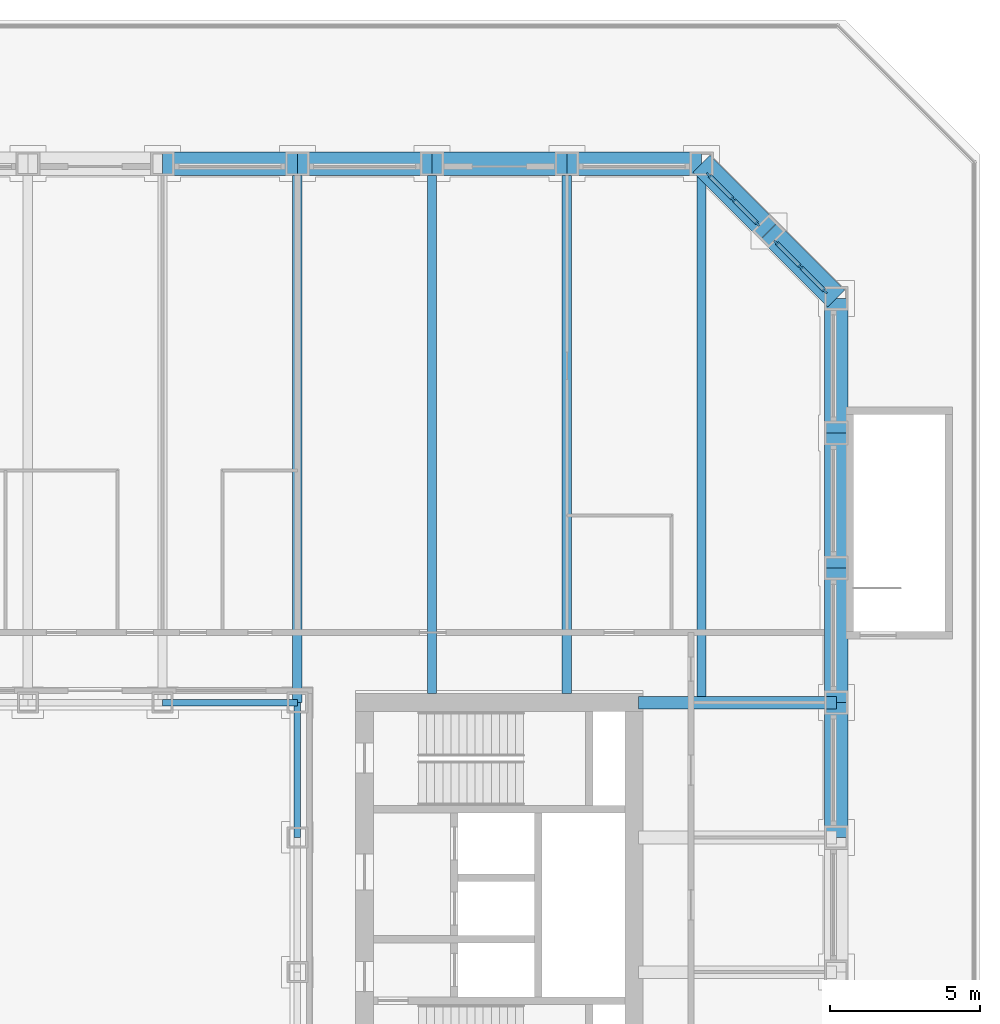
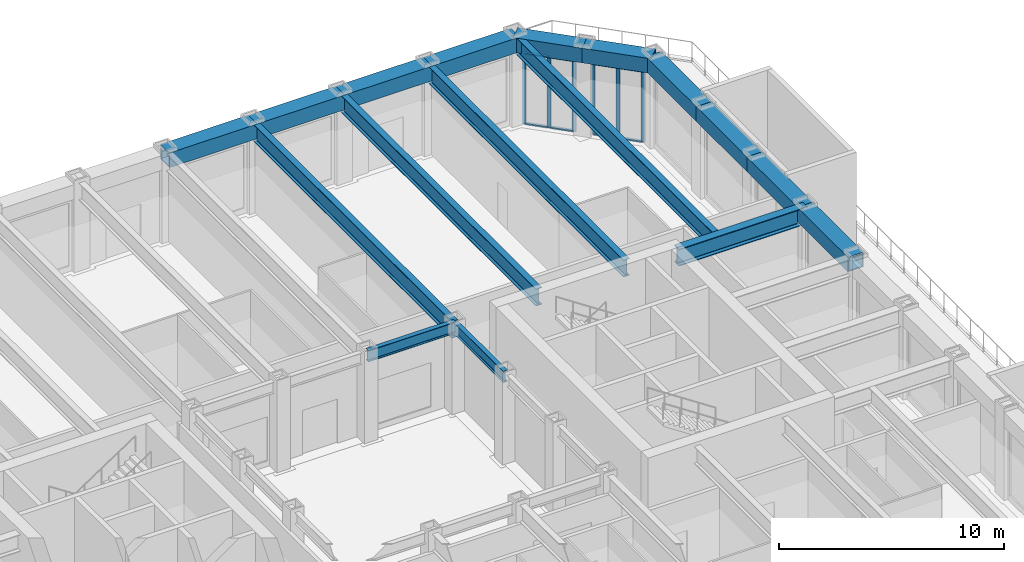
# One storey, part 5 of 18: 17 beams, 14 members, 2 elements without a shape of their own.
"""IFC4 building model written with IfcOpenShell, lengths in metres."""

from ifc_helpers import new_model, si_unit, direction, frame, origin, origin_2d, place, context, subcontext, project, spatial, rectangle, hollow_rectangle, i_section, extrude, material, material_profile, profile_set, type_object, element, aggregate, save


model = new_model("IFC4")

# Units and contexts
model_context = context("Model", 3, precision=1e-05, world=origin(), true_north=direction((0.0, 1.0)))
body_context = subcontext(model_context, "Body", "Model", "MODEL_VIEW")
ifc_project = project(units=[si_unit("LENGTHUNIT", "METRE"), si_unit("AREAUNIT", "SQUARE_METRE"), si_unit("VOLUMEUNIT", "CUBIC_METRE"), si_unit("PLANEANGLEUNIT", "RADIAN"), si_unit("MASSUNIT", "GRAM", prefix="KILO")], contexts=[model_context])

# Site, building, storey
site_placement = place(None, origin())
site = spatial("IfcSite", under=ifc_project, at=site_placement, CompositionType="ELEMENT")
building_placement = place(site_placement, origin())
building = spatial("IfcBuilding", under=site, at=building_placement, Name="Msasa Ring Tower", CompositionType="ELEMENT")
storey_placement = place(building_placement, frame((0.0, 0.0, 21.5)))
storey = spatial("IfcBuildingStorey", under=building, at=storey_placement, Name="L04", CompositionType="ELEMENT", Elevation=21.5)

# Curtain wall, members
ifc_material_1 = material(Name="Aluminium curtain wall with clear glass", Category="aluminium")
curtain_wall_type = type_object("IfcCurtainWallType", Name="CW-C CHAMFER CORNER CURTAIN WALL", PredefinedType="NOTDEFINED", material=ifc_material_1)
curtain_wall_1_placement = place(storey_placement, origin())
curtain_wall_1 = element("IfcCurtainWall", 1, at=curtain_wall_1_placement, inside=storey, type_object=curtain_wall_type, Name="Chamfer corner curtain wall NE L04", PredefinedType="NOTDEFINED")
ifc_material_2 = material(Name="Aluminium mullion", Category="aluminium")
ifc_material_profile_1 = material_profile(ifc_material_2, rectangle(XDim=0.06494140625, YDim=0.179931640625, at=origin_2d()), Name="AL 65x180")
ifc_profile_set_1 = profile_set([ifc_material_profile_1], Name="Aluminium mullion")
member_type_1 = type_object("IfcMemberType", Name="CW-C MULLION 65x180", PredefinedType="MULLION", material=ifc_profile_set_1)
member_1_placement = place(storey_placement, frame((22.119873046875, 22.73876953125, 0.0), z_axis=(0.0, 0.0, 1.0), x_axis=(-0.707106781187, -0.707106781187, 0.0)))
member_1 = element("IfcMember", 2, at=member_1_placement, type_object=member_type_1, Name="CW-C mullion 1", PredefinedType="MULLION", context=body_context, shape_type="SweptSolid", body=[
    extrude(rectangle(XDim=0.06494140625, YDim=0.179931640625, at=origin_2d()), origin(), (0.0, 0.0, 1.0), 3.87890625),
])
member_2_placement = place(storey_placement, frame((21.30419921875, 23.55419921875, 0.0), z_axis=(0.0, 0.0, 1.0), x_axis=(-0.707106781187, -0.707106781187, 0.0)))
member_2 = element("IfcMember", 3, at=member_2_placement, type_object=member_type_1, Name="CW-C mullion 2", PredefinedType="MULLION", context=body_context, shape_type="SweptSolid", body=[
    extrude(rectangle(XDim=0.06494140625, YDim=0.179931640625, at=origin_2d()), origin(), (0.0, 0.0, 1.0), 3.87890625),
])
member_3_placement = place(storey_placement, frame((20.48876953125, 24.369873046875, 0.0), z_axis=(0.0, 0.0, 1.0), x_axis=(-0.707106781187, -0.707106781187, 0.0)))
member_3 = element("IfcMember", 4, at=member_3_placement, type_object=member_type_1, Name="CW-C mullion 3", PredefinedType="MULLION", context=body_context, shape_type="SweptSolid", body=[
    extrude(rectangle(XDim=0.06494140625, YDim=0.179931640625, at=origin_2d()), origin(), (0.0, 0.0, 1.0), 3.87890625),
])

curtain_wall_2_placement = place(storey_placement, origin())
curtain_wall_2 = element("IfcCurtainWall", 5, at=curtain_wall_2_placement, inside=storey, type_object=curtain_wall_type, Name="Chamfer corner curtain wall NE L04", PredefinedType="NOTDEFINED")
member_4_placement = place(storey_placement, frame((24.369873046875, 20.48876953125, 0.0), z_axis=(0.0, 0.0, 1.0), x_axis=(-0.707106781187, -0.707106781187, 0.0)))
member_4 = element("IfcMember", 6, at=member_4_placement, type_object=member_type_1, Name="CW-C mullion 1", PredefinedType="MULLION", context=body_context, shape_type="SweptSolid", body=[
    extrude(rectangle(XDim=0.06494140625, YDim=0.179931640625, at=origin_2d()), origin(), (0.0, 0.0, 1.0), 3.87890625),
])
member_5_placement = place(storey_placement, frame((23.55419921875, 21.30419921875, 0.0), z_axis=(0.0, 0.0, 1.0), x_axis=(-0.707106781187, -0.707106781187, 0.0)))
member_5 = element("IfcMember", 7, at=member_5_placement, type_object=member_type_1, Name="CW-C mullion 2", PredefinedType="MULLION", context=body_context, shape_type="SweptSolid", body=[
    extrude(rectangle(XDim=0.06494140625, YDim=0.179931640625, at=origin_2d()), origin(), (0.0, 0.0, 1.0), 3.87890625),
])
member_6_placement = place(storey_placement, frame((22.73876953125, 22.119873046875, 0.0), z_axis=(0.0, 0.0, 1.0), x_axis=(-0.707106781187, -0.707106781187, 0.0)))
member_6 = element("IfcMember", 8, at=member_6_placement, type_object=member_type_1, Name="CW-C mullion 3", PredefinedType="MULLION", context=body_context, shape_type="SweptSolid", body=[
    extrude(rectangle(XDim=0.06494140625, YDim=0.179931640625, at=origin_2d()), origin(), (0.0, 0.0, 1.0), 3.87890625),
])

# Member
ifc_material_3 = material(Name="Aluminium transom", Category="aluminium")
ifc_material_profile_2 = material_profile(ifc_material_3, rectangle(XDim=0.139892578125, YDim=0.06494140625, at=origin_2d()), Name="AL 65x140")
ifc_profile_set_2 = profile_set([ifc_material_profile_2], Name="Aluminium transom")
member_type_2 = type_object("IfcMemberType", Name="CW-C TRANSOM 65x140", PredefinedType="USERDEFINED", material=ifc_profile_set_2)
member_7_placement = place(storey_placement, frame((22.096923828125, 22.76171875, 0.032470703125), z_axis=(-0.707106781187, 0.707106781187, 0.0), x_axis=(-0.707106781187, -0.707106781187, 0.0)))
member_7 = element("IfcMember", 9, at=member_7_placement, type_object=member_type_2, Name="CW-C transom 1.1", ObjectType="TRANSOM", PredefinedType="USERDEFINED", context=body_context, shape_type="SweptSolid", body=[
    extrude(rectangle(XDim=0.139892578125, YDim=0.06494140625, at=origin_2d()), origin(), (0.0, 0.0, 1.0), 1.08837890625),
])

member_8_placement = place(storey_placement, frame((22.096923828125, 22.76171875, 3.846435546875), z_axis=(-0.707106781187, 0.707106781187, 0.0), x_axis=(-0.707106781187, -0.707106781187, 0.0)))
member_8 = element("IfcMember", 10, at=member_8_placement, type_object=member_type_2, Name="CW-C transom 1.2", ObjectType="TRANSOM", PredefinedType="USERDEFINED", context=body_context, shape_type="SweptSolid", body=[
    extrude(rectangle(XDim=0.139892578125, YDim=0.06494140625, at=origin_2d()), origin(), (0.0, 0.0, 1.0), 1.08837890625),
])

member_9_placement = place(storey_placement, frame((21.28125, 23.577392578125, 0.032470703125), z_axis=(-0.707106781187, 0.707106781187, 0.0), x_axis=(-0.707106781187, -0.707106781187, 0.0)))
member_9 = element("IfcMember", 11, at=member_9_placement, type_object=member_type_2, Name="CW-C transom 2.1", ObjectType="TRANSOM", PredefinedType="USERDEFINED", context=body_context, shape_type="SweptSolid", body=[
    extrude(rectangle(XDim=0.139892578125, YDim=0.06494140625, at=origin_2d()), origin(), (0.0, 0.0, 1.0), 1.08837890625),
])

member_10_placement = place(storey_placement, frame((21.28125, 23.577392578125, 3.846435546875), z_axis=(-0.707106781187, 0.707106781187, 0.0), x_axis=(-0.707106781187, -0.707106781187, 0.0)))
member_10 = element("IfcMember", 12, at=member_10_placement, type_object=member_type_2, Name="CW-C transom 2.2", ObjectType="TRANSOM", PredefinedType="USERDEFINED", context=body_context, shape_type="SweptSolid", body=[
    extrude(rectangle(XDim=0.139892578125, YDim=0.06494140625, at=origin_2d()), origin(), (0.0, 0.0, 1.0), 1.08837890625),
])

aggregate(curtain_wall_1, [member_1, member_2, member_3, member_7, member_8, member_9, member_10])

member_11_placement = place(storey_placement, frame((24.346923828125, 20.51171875, 0.032470703125), z_axis=(-0.707106781187, 0.707106781187, 0.0), x_axis=(-0.707106781187, -0.707106781187, 0.0)))
member_11 = element("IfcMember", 13, at=member_11_placement, type_object=member_type_2, Name="CW-C transom 1.1", ObjectType="TRANSOM", PredefinedType="USERDEFINED", context=body_context, shape_type="SweptSolid", body=[
    extrude(rectangle(XDim=0.139892578125, YDim=0.06494140625, at=origin_2d()), origin(), (0.0, 0.0, 1.0), 1.08837890625),
])

member_12_placement = place(storey_placement, frame((24.346923828125, 20.51171875, 3.846435546875), z_axis=(-0.707106781187, 0.707106781187, 0.0), x_axis=(-0.707106781187, -0.707106781187, 0.0)))
member_12 = element("IfcMember", 14, at=member_12_placement, type_object=member_type_2, Name="CW-C transom 1.2", ObjectType="TRANSOM", PredefinedType="USERDEFINED", context=body_context, shape_type="SweptSolid", body=[
    extrude(rectangle(XDim=0.139892578125, YDim=0.06494140625, at=origin_2d()), origin(), (0.0, 0.0, 1.0), 1.08837890625),
])

member_13_placement = place(storey_placement, frame((23.53125, 21.327392578125, 0.032470703125), z_axis=(-0.707106781187, 0.707106781187, 0.0), x_axis=(-0.707106781187, -0.707106781187, 0.0)))
member_13 = element("IfcMember", 15, at=member_13_placement, type_object=member_type_2, Name="CW-C transom 2.1", ObjectType="TRANSOM", PredefinedType="USERDEFINED", context=body_context, shape_type="SweptSolid", body=[
    extrude(rectangle(XDim=0.139892578125, YDim=0.06494140625, at=origin_2d()), origin(), (0.0, 0.0, 1.0), 1.08837890625),
])

member_14_placement = place(storey_placement, frame((23.53125, 21.327392578125, 3.846435546875), z_axis=(-0.707106781187, 0.707106781187, 0.0), x_axis=(-0.707106781187, -0.707106781187, 0.0)))
member_14 = element("IfcMember", 16, at=member_14_placement, type_object=member_type_2, Name="CW-C transom 2.2", ObjectType="TRANSOM", PredefinedType="USERDEFINED", context=body_context, shape_type="SweptSolid", body=[
    extrude(rectangle(XDim=0.139892578125, YDim=0.06494140625, at=origin_2d()), origin(), (0.0, 0.0, 1.0), 1.08837890625),
])

aggregate(curtain_wall_2, [member_4, member_5, member_6, member_11, member_12, member_13, member_14])

# Beams
ifc_material_4 = material(Name="Steel S355", Category="steel")
ifc_material_profile_3 = material_profile(ifc_material_4, i_section(OverallWidth=0.3076171875, OverallDepth=0.926513671875, WebThickness=0.01953125, FlangeThickness=0.031982421875, FilletRadius=0.01904296875, at=origin_2d()), Name="UB 914x305x289")
ifc_profile_set_3 = profile_set([ifc_material_profile_3], Name="Steel S355")
beam_type_1 = type_object("IfcBeamType", Name="FB3 UB 914x305x289", PredefinedType="BEAM", material=ifc_profile_set_3)
beam_1_placement = place(storey_placement, frame((6.75, 24.75, 4.336669921875), z_axis=(0.0, -1.0, 0.0), x_axis=(1.0, 0.0, 0.0)))
element("IfcBeam", 17, at=beam_1_placement, inside=storey, type_object=beam_type_1, Name="Floor beam N+6.75 under L05", PredefinedType="BEAM", context=body_context, shape_type="SweptSolid", body=[
    extrude(i_section(OverallWidth=0.3076171875, OverallDepth=0.926513671875, WebThickness=0.01953125, FlangeThickness=0.031982421875, FilletRadius=0.01904296875, at=origin_2d()), origin(), (0.0, 0.0, 1.0), 18.0),
])
for number, where, z_axis, x_axis, name in (
    (18, (11.25, 24.75, 4.336669921875), (0.0, -1.0, 0.0), (1.0, 0.0, 0.0), "Floor beam N+11.25 under L05"),
    (19, (15.75, 24.75, 4.336669921875), (0.0, -1.0, 0.0), (1.0, 0.0, 0.0), "Floor beam N+15.75 under L05"),
):
    element("IfcBeam", number, at=place(storey_placement, frame(where, z_axis=z_axis, x_axis=x_axis)), inside=storey, type_object=beam_type_1, Name=name, PredefinedType="BEAM", context=body_context, shape_type="SweptSolid", body=[
        extrude(i_section(OverallWidth=0.3076171875, OverallDepth=0.926513671875, WebThickness=0.01953125, FlangeThickness=0.031982421875, FilletRadius=0.01904296875, at=origin_2d()), origin(), (0.0, 0.0, 1.0), 17.699951171875),
    ])
beam_2_placement = place(storey_placement, frame((20.25, 24.75, 4.336669921875), z_axis=(0.0, -1.0, 0.0), x_axis=(1.0, 0.0, 0.0)))
element("IfcBeam", 20, at=beam_2_placement, inside=storey, type_object=beam_type_1, Name="Floor beam N+20.25 under L05", PredefinedType="BEAM", context=body_context, shape_type="SweptSolid", body=[
    extrude(i_section(OverallWidth=0.3076171875, OverallDepth=0.926513671875, WebThickness=0.01953125, FlangeThickness=0.031982421875, FilletRadius=0.01904296875, at=origin_2d()), origin(), (0.0, 0.0, 1.0), 17.789794921875),
])
ifc_material_5 = material(Name="Steel S355", Category="steel")
ifc_material_profile_4 = material_profile(ifc_material_5, i_section(OverallWidth=0.42041015625, OverallDepth=0.9208984375, WebThickness=0.021484375, FlangeThickness=0.03662109375, FilletRadius=0.024169921875, at=origin_2d()), Name="UB 914x419x388")
ifc_profile_set_4 = profile_set([ifc_material_profile_4], Name="Steel S355")
beam_type_2 = type_object("IfcBeamType", Name="GB1 UB 914x419x388", PredefinedType="BEAM", material=ifc_profile_set_4)
beam_3_placement = place(storey_placement, frame((18.14990234375, 6.75, 4.339599609375), z_axis=(1.0, 0.0, 0.0), x_axis=(0.0, 1.0, 0.0)))
element("IfcBeam", 21, at=beam_3_placement, inside=storey, type_object=beam_type_2, Name="Girder E +6.75 under L05", PredefinedType="BEAM", context=body_context, shape_type="SweptSolid", body=[
    extrude(i_section(OverallWidth=0.42041015625, OverallDepth=0.9208984375, WebThickness=0.021484375, FlangeThickness=0.03662109375, FilletRadius=0.024169921875, at=origin_2d()), origin(), (0.0, 0.0, 1.0), 6.60009765625),
])
ifc_material_6 = material(Name="Steel S355", Category="steel")
ifc_material_profile_5 = material_profile(ifc_material_6, i_section(OverallWidth=0.230224609375, OverallDepth=0.6171875, WebThickness=0.01318359375, FlangeThickness=0.022216796875, FilletRadius=0.0126953125, at=origin_2d()), Name="UB 610x229x140")
ifc_profile_set_5 = profile_set([ifc_material_profile_5], Name="Steel S355")
beam_type_3 = type_object("IfcBeamType", Name="RB1 UB 610x229x140", PredefinedType="BEAM", material=ifc_profile_set_5)
for number, where, z_axis, x_axis, name in (
    (22, (6.75, 2.25, 4.491455078125), (0.0, 1.0, 0.0), (-1.0, 0.0, 0.0), "Inner ring beam IR+6.75+2.25 under L05"),
    (23, (6.75, 6.75, 4.491455078125), (-1.0, 0.0, 0.0), (0.0, -1.0, 0.0), "Inner ring beam IR+6.75+6.75 under L05"),
):
    element("IfcBeam", number, at=place(storey_placement, frame(where, z_axis=z_axis, x_axis=x_axis)), inside=storey, type_object=beam_type_3, Name=name, PredefinedType="BEAM", context=body_context, shape_type="SweptSolid", body=[
        extrude(i_section(OverallWidth=0.230224609375, OverallDepth=0.6171875, WebThickness=0.01318359375, FlangeThickness=0.022216796875, FilletRadius=0.0126953125, at=origin_2d()), origin(), (0.0, 0.0, 1.0), 4.5),
    ])
ifc_material_7 = material(Name="Steel S355", Category="steel")
ifc_material_profile_6 = material_profile(ifc_material_7, hollow_rectangle(XDim=0.800048828125, YDim=0.800048828125, WallThickness=0.06005859375, at=origin_2d()), Name="BOX 800x800x60")
ifc_profile_set_6 = profile_set([ifc_material_profile_6], Name="Steel S355")
beam_type_4 = type_object("IfcBeamType", Name="SB3 BOX 800x800x60", PredefinedType="SPANDREL", material=ifc_profile_set_6)
for number, where, z_axis, x_axis, name in (
    (24, (24.75, 2.25, 4.39990234375), (0.0, 1.0, 0.0), (-1.0, 0.0, 0.0), "Spandrel E+2.25 to E+6.75 under L05"),
    (25, (24.75, 6.75, 4.39990234375), (0.0, 1.0, 0.0), (-1.0, 0.0, 0.0), "Spandrel E+6.75 to E+11.25 under L05"),
    (26, (24.75, 11.25, 4.39990234375), (0.0, 1.0, 0.0), (-1.0, 0.0, 0.0), "Spandrel E+11.25 to E+15.75 under L05"),
    (27, (24.75, 15.75, 4.39990234375), (0.0, 1.0, 0.0), (-1.0, 0.0, 0.0), "Spandrel E+15.75 to E+20.25 under L05"),
):
    element("IfcBeam", number, at=place(storey_placement, frame(where, z_axis=z_axis, x_axis=x_axis)), inside=storey, type_object=beam_type_4, Name=name, PredefinedType="SPANDREL", context=body_context, shape_type="SweptSolid", body=[
        extrude(hollow_rectangle(XDim=0.800048828125, YDim=0.800048828125, WallThickness=0.06005859375, at=origin_2d()), origin(), (0.0, 0.0, 1.0), 4.5),
    ])
for number, where, z_axis, x_axis, name in (
    (28, (24.75, 20.25, 4.39990234375), (-0.707106781187, 0.707106781187, 0.0), (-0.707106781187, -0.707106781187, 0.0), "Spandrel E+20.25 to NE under L05"),
    (29, (22.5, 22.5, 4.39990234375), (-0.707106781187, 0.707106781187, 0.0), (-0.707106781187, -0.707106781187, 0.0), "Spandrel NE to N+20.25 under L05"),
):
    element("IfcBeam", number, at=place(storey_placement, frame(where, z_axis=z_axis, x_axis=x_axis)), inside=storey, type_object=beam_type_4, Name=name, PredefinedType="SPANDREL", context=body_context, shape_type="SweptSolid", body=[
        extrude(hollow_rectangle(XDim=0.800048828125, YDim=0.800048828125, WallThickness=0.06005859375, at=origin_2d()), origin(), (0.0, 0.0, 1.0), 3.181884765625),
    ])
for number, where, z_axis, x_axis, name in (
    (30, (20.25, 24.75, 4.39990234375), (-1.0, 0.0, 0.0), (0.0, -1.0, 0.0), "Spandrel N+20.25 to N+15.75 under L05"),
    (31, (15.75, 24.75, 4.39990234375), (-1.0, 0.0, 0.0), (0.0, -1.0, 0.0), "Spandrel N+15.75 to N+11.25 under L05"),
    (32, (11.25, 24.75, 4.39990234375), (-1.0, 0.0, 0.0), (0.0, -1.0, 0.0), "Spandrel N+11.25 to N+6.75 under L05"),
    (33, (6.75, 24.75, 4.39990234375), (-1.0, 0.0, 0.0), (0.0, -1.0, 0.0), "Spandrel N+6.75 to N+2.25 under L05"),
):
    element("IfcBeam", number, at=place(storey_placement, frame(where, z_axis=z_axis, x_axis=x_axis)), inside=storey, type_object=beam_type_4, Name=name, PredefinedType="SPANDREL", context=body_context, shape_type="SweptSolid", body=[
        extrude(hollow_rectangle(XDim=0.800048828125, YDim=0.800048828125, WallThickness=0.06005859375, at=origin_2d()), origin(), (0.0, 0.0, 1.0), 4.5),
    ])

save(model, "model.ifc")
